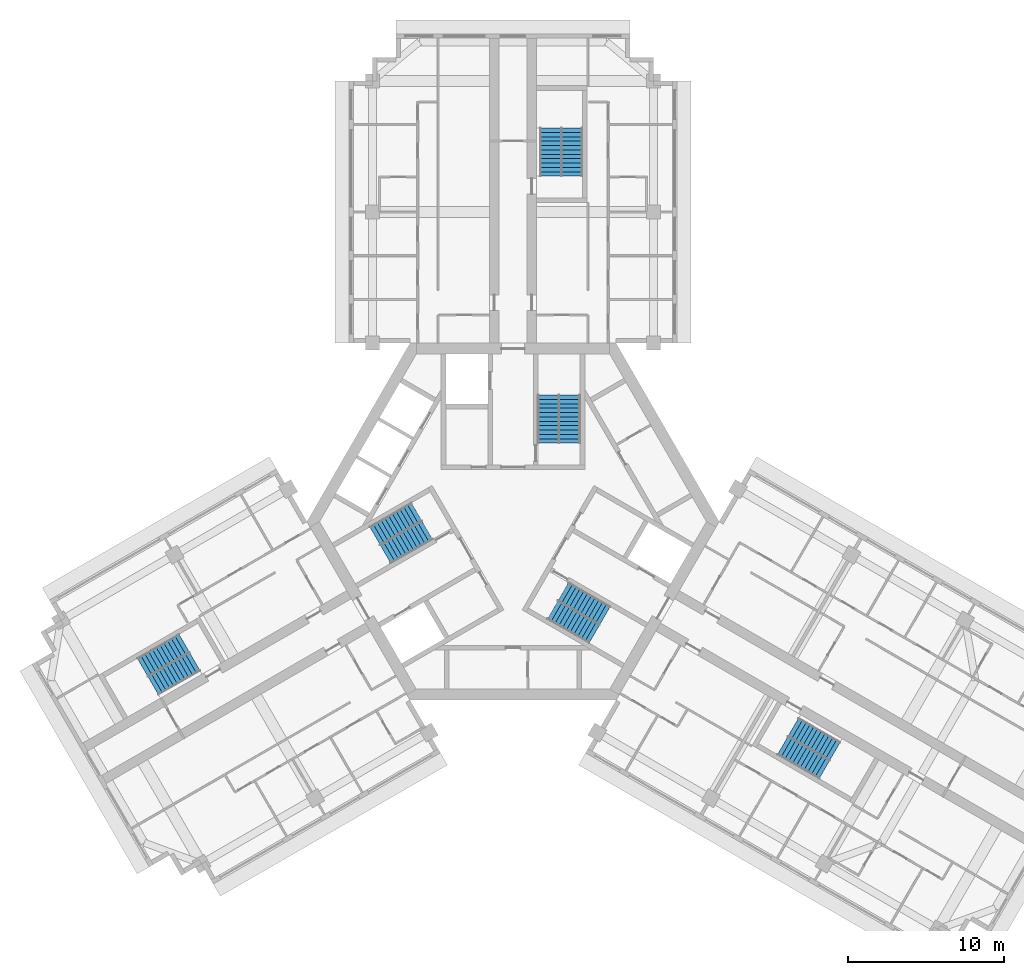
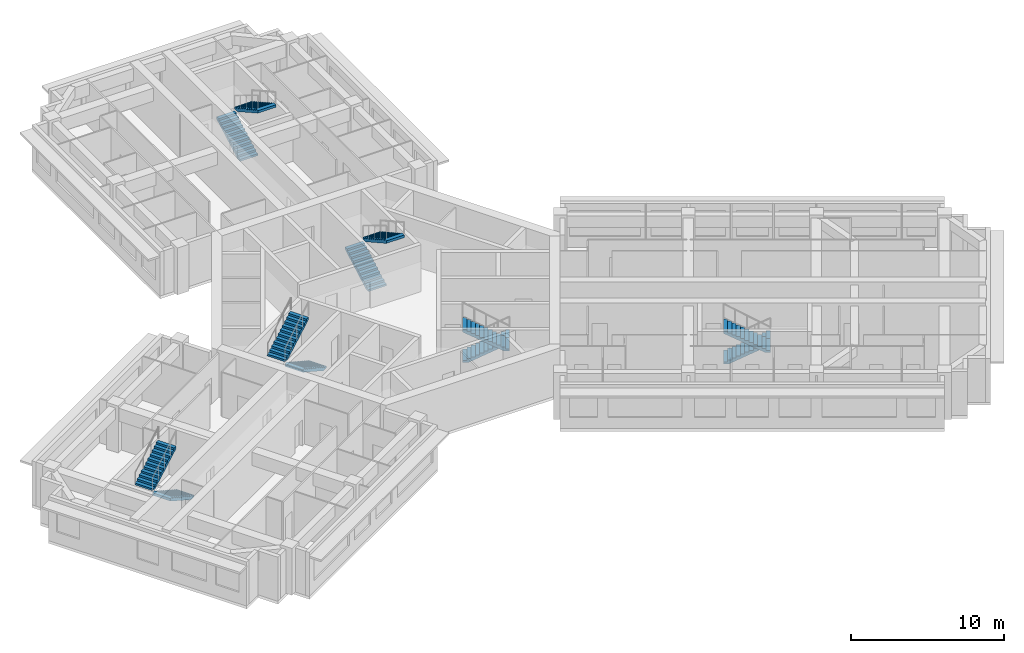
# One storey, part 10 of 11: 12 stair flights, 6 elements without a shape of their own.
"""IFC4 building model written with IfcOpenShell, lengths in metres."""

from ifc_helpers import new_model, si_unit, direction, frame, origin, place, context, subcontext, project, spatial, polyline, outline, extrude, material, type_object, element, aggregate, save


model = new_model("IFC4")

# Units and contexts
model_context = context("Model", 3, precision=1e-05, world=origin(), true_north=direction((0.0, 1.0)))
body_context = subcontext(model_context, "Body", "Model", "MODEL_VIEW")
ifc_project = project(units=[si_unit("LENGTHUNIT", "METRE"), si_unit("AREAUNIT", "SQUARE_METRE"), si_unit("VOLUMEUNIT", "CUBIC_METRE"), si_unit("PLANEANGLEUNIT", "RADIAN"), si_unit("MASSUNIT", "GRAM", prefix="KILO")], contexts=[model_context])

# Site, building, storey
site_placement = place(None, origin())
site = spatial("IfcSite", under=ifc_project, at=site_placement, CompositionType="ELEMENT")
building_placement = place(site_placement, origin())
building = spatial("IfcBuilding", under=site, at=building_placement, Name="Impinga Residences", CompositionType="ELEMENT")
storey_placement = place(building_placement, frame((0.0, 0.0, 244.75)))
storey = spatial("IfcBuildingStorey", under=building, at=storey_placement, Name="L61", CompositionType="ELEMENT", Elevation=244.75)

# Stair, stair flights
ifc_material = material(Name="Concrete C40/50", Category="concrete")
stair_type_1 = type_object("IfcStairType", Name="STR core stair 3750 storey, 24 risers", PredefinedType="HALF_TURN_STAIR", material=ifc_material)
stair_1_placement = place(storey_placement, origin())
stair_1 = element("IfcStair", 1, at=stair_1_placement, inside=storey, type_object=stair_type_1, Name="Stair ST1 L61", PredefinedType="HALF_TURN_STAIR")
stair_flight_type = type_object("IfcStairFlightType", Name="SF 12 risers of 156", PredefinedType="STRAIGHT", material=ifc_material)
stair_flight_1_placement = place(storey_placement, frame((2.27490234375, 5.030029296875, 0.0), z_axis=(0.0, 0.0, 1.0), x_axis=(0.0, 1.0, 0.0)))
stair_flight_1 = element("IfcStairFlight", 2, at=stair_flight_1_placement, type_object=stair_flight_type, Name="ST1 flight 1", NumberOfRisers=12, NumberOfTreads=11, PredefinedType="STRAIGHT", RiserHeight=0.15625, TreadLength=0.28, context=body_context, shape_type="SweptSolid", body=[
    extrude(outline(polyline([(0.0, 0.0), (0.0, 0.15625), (0.280029296875, 0.15625), (0.280029296875, 0.3125), (0.56005859375, 0.3125), (0.56005859375, 0.46875), (0.840087890625, 0.46875), (0.840087890625, 0.625), (1.1201171875, 0.625), (1.1201171875, 0.78125), (1.39990234375, 0.78125), (1.39990234375, 0.9375), (1.679931640625, 0.9375), (1.679931640625, 1.09375), (1.9599609375, 1.09375), (1.9599609375, 1.25), (2.239990234375, 1.25), (2.239990234375, 1.40625), (2.52001953125, 1.40625), (2.52001953125, 1.5625), (2.800048828125, 1.5625), (2.800048828125, 1.71875), (3.080078125, 1.71875), (3.080078125, 1.875), (3.080078125, 1.5126953125), (0.369140625, 0.0), (0.0, 0.0)])), frame((0.0, 0.675048828125, 0.0), z_axis=(0.0, -1.0, 0.0), x_axis=(1.0, 0.0, 0.0)), (0.0, 0.0, 1.0), 1.35009765625),
])
stair_flight_2_placement = place(storey_placement, frame((3.625, 8.110107421875, 1.875), z_axis=(0.0, 0.0, 1.0), x_axis=(0.0, -1.0, 0.0)))
stair_flight_2 = element("IfcStairFlight", 3, at=stair_flight_2_placement, type_object=stair_flight_type, Name="ST1 flight 2", NumberOfRisers=12, NumberOfTreads=11, PredefinedType="STRAIGHT", RiserHeight=0.15625, TreadLength=0.28, context=body_context, shape_type="SweptSolid", body=[
    extrude(outline(polyline([(0.0, 0.0), (0.0, 0.15625), (0.280029296875, 0.15625), (0.280029296875, 0.3125), (0.56005859375, 0.3125), (0.56005859375, 0.46875), (0.840087890625, 0.46875), (0.840087890625, 0.625), (1.1201171875, 0.625), (1.1201171875, 0.78125), (1.39990234375, 0.78125), (1.39990234375, 0.9375), (1.679931640625, 0.9375), (1.679931640625, 1.09375), (1.9599609375, 1.09375), (1.9599609375, 1.25), (2.239990234375, 1.25), (2.239990234375, 1.40625), (2.52001953125, 1.40625), (2.52001953125, 1.5625), (2.800048828125, 1.5625), (2.800048828125, 1.71875), (3.080078125, 1.71875), (3.080078125, 1.875), (3.080078125, 1.5126953125), (0.369140625, 0.0), (0.0, 0.0)])), frame((0.0, 0.675048828125, 0.0), z_axis=(0.0, -1.0, 0.0), x_axis=(1.0, 0.0, 0.0)), (0.0, 0.0, 1.0), 1.35009765625),
])
aggregate(stair_1, [stair_flight_1, stair_flight_2])

stair_2_placement = place(storey_placement, origin())
stair_2 = element("IfcStair", 4, at=stair_2_placement, inside=storey, type_object=stair_type_1, Name="Stair ST2 L61", PredefinedType="HALF_TURN_STAIR")
stair_flight_3_placement = place(storey_placement, frame((-5.49365234375, -0.544677734375, 0.0), z_axis=(0.0, 0.0, 1.0), x_axis=(-0.866025403784, -0.5, 0.0)))
stair_flight_3 = element("IfcStairFlight", 5, at=stair_flight_3_placement, type_object=stair_flight_type, Name="ST2 flight 1", NumberOfRisers=12, NumberOfTreads=11, PredefinedType="STRAIGHT", RiserHeight=0.15625, TreadLength=0.28, context=body_context, shape_type="SweptSolid", body=[
    extrude(outline(polyline([(0.0, 0.0), (0.0, 0.15625), (0.280029296875, 0.15625), (0.280029296875, 0.3125), (0.56005859375, 0.3125), (0.56005859375, 0.46875), (0.840087890625, 0.46875), (0.840087890625, 0.625), (1.1201171875, 0.625), (1.1201171875, 0.78125), (1.39990234375, 0.78125), (1.39990234375, 0.9375), (1.679931640625, 0.9375), (1.679931640625, 1.09375), (1.9599609375, 1.09375), (1.9599609375, 1.25), (2.239990234375, 1.25), (2.239990234375, 1.40625), (2.52001953125, 1.40625), (2.52001953125, 1.5625), (2.800048828125, 1.5625), (2.800048828125, 1.71875), (3.080078125, 1.71875), (3.080078125, 1.875), (3.080078125, 1.5126953125), (0.369140625, 0.0), (0.0, 0.0)])), frame((0.0, 0.675048828125, 0.0), z_axis=(0.0, -1.0, 0.0), x_axis=(1.0, 0.0, 0.0)), (0.0, 0.0, 1.0), 1.35009765625),
])
stair_flight_4_placement = place(storey_placement, frame((-8.8359375, -0.915771484375, 1.875), z_axis=(0.0, 0.0, 1.0), x_axis=(0.866025403784, 0.5, 0.0)))
stair_flight_4 = element("IfcStairFlight", 6, at=stair_flight_4_placement, type_object=stair_flight_type, Name="ST2 flight 2", NumberOfRisers=12, NumberOfTreads=11, PredefinedType="STRAIGHT", RiserHeight=0.15625, TreadLength=0.28, context=body_context, shape_type="SweptSolid", body=[
    extrude(outline(polyline([(0.0, 0.0), (0.0, 0.15625), (0.280029296875, 0.15625), (0.280029296875, 0.3125), (0.56005859375, 0.3125), (0.56005859375, 0.46875), (0.840087890625, 0.46875), (0.840087890625, 0.625), (1.1201171875, 0.625), (1.1201171875, 0.78125), (1.39990234375, 0.78125), (1.39990234375, 0.9375), (1.679931640625, 0.9375), (1.679931640625, 1.09375), (1.9599609375, 1.09375), (1.9599609375, 1.25), (2.239990234375, 1.25), (2.239990234375, 1.40625), (2.52001953125, 1.40625), (2.52001953125, 1.5625), (2.800048828125, 1.5625), (2.800048828125, 1.71875), (3.080078125, 1.71875), (3.080078125, 1.875), (3.080078125, 1.5126953125), (0.369140625, 0.0), (0.0, 0.0)])), frame((0.0, 0.675048828125, 0.0), z_axis=(0.0, -1.0, 0.0), x_axis=(1.0, 0.0, 0.0)), (0.0, 0.0, 1.0), 1.35009765625),
])
aggregate(stair_2, [stair_flight_3, stair_flight_4])

stair_3_placement = place(storey_placement, origin())
stair_3 = element("IfcStair", 7, at=stair_3_placement, inside=storey, type_object=stair_type_1, Name="Stair ST3 L61", PredefinedType="HALF_TURN_STAIR")
stair_flight_5_placement = place(storey_placement, frame((3.218505859375, -4.485107421875, 0.0), z_axis=(0.0, 0.0, 1.0), x_axis=(0.866025403784, -0.5, 0.0)))
stair_flight_5 = element("IfcStairFlight", 8, at=stair_flight_5_placement, type_object=stair_flight_type, Name="ST3 flight 1", NumberOfRisers=12, NumberOfTreads=11, PredefinedType="STRAIGHT", RiserHeight=0.15625, TreadLength=0.28, context=body_context, shape_type="SweptSolid", body=[
    extrude(outline(polyline([(0.0, 0.0), (0.0, 0.15625), (0.280029296875, 0.15625), (0.280029296875, 0.3125), (0.56005859375, 0.3125), (0.56005859375, 0.46875), (0.840087890625, 0.46875), (0.840087890625, 0.625), (1.1201171875, 0.625), (1.1201171875, 0.78125), (1.39990234375, 0.78125), (1.39990234375, 0.9375), (1.679931640625, 0.9375), (1.679931640625, 1.09375), (1.9599609375, 1.09375), (1.9599609375, 1.25), (2.239990234375, 1.25), (2.239990234375, 1.40625), (2.52001953125, 1.40625), (2.52001953125, 1.5625), (2.800048828125, 1.5625), (2.800048828125, 1.71875), (3.080078125, 1.71875), (3.080078125, 1.875), (3.080078125, 1.5126953125), (0.369140625, 0.0), (0.0, 0.0)])), frame((0.0, 0.675048828125, 0.0), z_axis=(0.0, -1.0, 0.0), x_axis=(1.0, 0.0, 0.0)), (0.0, 0.0, 1.0), 1.35009765625),
])
stair_flight_6_placement = place(storey_placement, frame((5.2109375, -7.1943359375, 1.875), z_axis=(0.0, 0.0, 1.0), x_axis=(-0.866025403784, 0.5, 0.0)))
stair_flight_6 = element("IfcStairFlight", 9, at=stair_flight_6_placement, type_object=stair_flight_type, Name="ST3 flight 2", NumberOfRisers=12, NumberOfTreads=11, PredefinedType="STRAIGHT", RiserHeight=0.15625, TreadLength=0.28, context=body_context, shape_type="SweptSolid", body=[
    extrude(outline(polyline([(0.0, 0.0), (0.0, 0.15625), (0.280029296875, 0.15625), (0.280029296875, 0.3125), (0.56005859375, 0.3125), (0.56005859375, 0.46875), (0.840087890625, 0.46875), (0.840087890625, 0.625), (1.1201171875, 0.625), (1.1201171875, 0.78125), (1.39990234375, 0.78125), (1.39990234375, 0.9375), (1.679931640625, 0.9375), (1.679931640625, 1.09375), (1.9599609375, 1.09375), (1.9599609375, 1.25), (2.239990234375, 1.25), (2.239990234375, 1.40625), (2.52001953125, 1.40625), (2.52001953125, 1.5625), (2.800048828125, 1.5625), (2.800048828125, 1.71875), (3.080078125, 1.71875), (3.080078125, 1.875), (3.080078125, 1.5126953125), (0.369140625, 0.0), (0.0, 0.0)])), frame((0.0, 0.675048828125, 0.0), z_axis=(0.0, -1.0, 0.0), x_axis=(1.0, 0.0, 0.0)), (0.0, 0.0, 1.0), 1.35009765625),
])
aggregate(stair_3, [stair_flight_5, stair_flight_6])

stair_type_2 = type_object("IfcStairType", Name="STR wing stair 3750 storey, 24 risers", PredefinedType="HALF_TURN_STAIR", material=ifc_material)
stair_4_placement = place(storey_placement, origin())
stair_4 = element("IfcStair", 10, at=stair_4_placement, inside=storey, type_object=stair_type_2, Name="Stair WS1 L61", PredefinedType="HALF_TURN_STAIR")
stair_flight_7_placement = place(storey_placement, frame((2.425048828125, 22.131591796875, 0.0), z_axis=(0.0, 0.0, 1.0), x_axis=(0.0, 1.0, 0.0)))
stair_flight_7 = element("IfcStairFlight", 11, at=stair_flight_7_placement, type_object=stair_flight_type, Name="WS1 flight 1", NumberOfRisers=12, NumberOfTreads=11, PredefinedType="STRAIGHT", RiserHeight=0.15625, TreadLength=0.28, context=body_context, shape_type="SweptSolid", body=[
    extrude(outline(polyline([(0.0, 0.0), (0.0, 0.15625), (0.280029296875, 0.15625), (0.280029296875, 0.3125), (0.56005859375, 0.3125), (0.56005859375, 0.46875), (0.840087890625, 0.46875), (0.840087890625, 0.625), (1.1201171875, 0.625), (1.1201171875, 0.78125), (1.39990234375, 0.78125), (1.39990234375, 0.9375), (1.679931640625, 0.9375), (1.679931640625, 1.09375), (1.9599609375, 1.09375), (1.9599609375, 1.25), (2.239990234375, 1.25), (2.239990234375, 1.40625), (2.52001953125, 1.40625), (2.52001953125, 1.5625), (2.800048828125, 1.5625), (2.800048828125, 1.71875), (3.080078125, 1.71875), (3.080078125, 1.875), (3.080078125, 1.5126953125), (0.369140625, 0.0), (0.0, 0.0)])), frame((0.0, 0.675048828125, 0.0), z_axis=(0.0, -1.0, 0.0), x_axis=(1.0, 0.0, 0.0)), (0.0, 0.0, 1.0), 1.35009765625),
])
stair_flight_8_placement = place(storey_placement, frame((3.77490234375, 25.21142578125, 1.875), z_axis=(0.0, 0.0, 1.0), x_axis=(0.0, -1.0, 0.0)))
stair_flight_8 = element("IfcStairFlight", 12, at=stair_flight_8_placement, type_object=stair_flight_type, Name="WS1 flight 2", NumberOfRisers=12, NumberOfTreads=11, PredefinedType="STRAIGHT", RiserHeight=0.15625, TreadLength=0.28, context=body_context, shape_type="SweptSolid", body=[
    extrude(outline(polyline([(0.0, 0.0), (0.0, 0.15625), (0.280029296875, 0.15625), (0.280029296875, 0.3125), (0.56005859375, 0.3125), (0.56005859375, 0.46875), (0.840087890625, 0.46875), (0.840087890625, 0.625), (1.1201171875, 0.625), (1.1201171875, 0.78125), (1.39990234375, 0.78125), (1.39990234375, 0.9375), (1.679931640625, 0.9375), (1.679931640625, 1.09375), (1.9599609375, 1.09375), (1.9599609375, 1.25), (2.239990234375, 1.25), (2.239990234375, 1.40625), (2.52001953125, 1.40625), (2.52001953125, 1.5625), (2.800048828125, 1.5625), (2.800048828125, 1.71875), (3.080078125, 1.71875), (3.080078125, 1.875), (3.080078125, 1.5126953125), (0.369140625, 0.0), (0.0, 0.0)])), frame((0.0, 0.675048828125, 0.0), z_axis=(0.0, -1.0, 0.0), x_axis=(1.0, 0.0, 0.0)), (0.0, 0.0, 1.0), 1.35009765625),
])
aggregate(stair_4, [stair_flight_7, stair_flight_8])

stair_5_placement = place(storey_placement, origin())
stair_5 = element("IfcStair", 13, at=stair_5_placement, inside=storey, type_object=stair_type_2, Name="Stair WS2 L61", PredefinedType="HALF_TURN_STAIR")
stair_flight_9_placement = place(storey_placement, frame((-20.37890625, -8.965576171875, 0.0), z_axis=(0.0, 0.0, 1.0), x_axis=(-0.866025403784, -0.5, 0.0)))
stair_flight_9 = element("IfcStairFlight", 14, at=stair_flight_9_placement, type_object=stair_flight_type, Name="WS2 flight 1", NumberOfRisers=12, NumberOfTreads=11, PredefinedType="STRAIGHT", RiserHeight=0.15625, TreadLength=0.28, context=body_context, shape_type="SweptSolid", body=[
    extrude(outline(polyline([(0.0, 0.0), (0.0, 0.15625), (0.280029296875, 0.15625), (0.280029296875, 0.3125), (0.56005859375, 0.3125), (0.56005859375, 0.46875), (0.840087890625, 0.46875), (0.840087890625, 0.625), (1.1201171875, 0.625), (1.1201171875, 0.78125), (1.39990234375, 0.78125), (1.39990234375, 0.9375), (1.679931640625, 0.9375), (1.679931640625, 1.09375), (1.9599609375, 1.09375), (1.9599609375, 1.25), (2.239990234375, 1.25), (2.239990234375, 1.40625), (2.52001953125, 1.40625), (2.52001953125, 1.5625), (2.800048828125, 1.5625), (2.800048828125, 1.71875), (3.080078125, 1.71875), (3.080078125, 1.875), (3.080078125, 1.5126953125), (0.369140625, 0.0), (0.0, 0.0)])), frame((0.0, 0.675048828125, 0.0), z_axis=(0.0, -1.0, 0.0), x_axis=(1.0, 0.0, 0.0)), (0.0, 0.0, 1.0), 1.35009765625),
])
stair_flight_10_placement = place(storey_placement, frame((-23.721435546875, -9.33642578125, 1.875), z_axis=(0.0, 0.0, 1.0), x_axis=(0.866025403784, 0.5, 0.0)))
stair_flight_10 = element("IfcStairFlight", 15, at=stair_flight_10_placement, type_object=stair_flight_type, Name="WS2 flight 2", NumberOfRisers=12, NumberOfTreads=11, PredefinedType="STRAIGHT", RiserHeight=0.15625, TreadLength=0.28, context=body_context, shape_type="SweptSolid", body=[
    extrude(outline(polyline([(0.0, 0.0), (0.0, 0.15625), (0.280029296875, 0.15625), (0.280029296875, 0.3125), (0.56005859375, 0.3125), (0.56005859375, 0.46875), (0.840087890625, 0.46875), (0.840087890625, 0.625), (1.1201171875, 0.625), (1.1201171875, 0.78125), (1.39990234375, 0.78125), (1.39990234375, 0.9375), (1.679931640625, 0.9375), (1.679931640625, 1.09375), (1.9599609375, 1.09375), (1.9599609375, 1.25), (2.239990234375, 1.25), (2.239990234375, 1.40625), (2.52001953125, 1.40625), (2.52001953125, 1.5625), (2.800048828125, 1.5625), (2.800048828125, 1.71875), (3.080078125, 1.71875), (3.080078125, 1.875), (3.080078125, 1.5126953125), (0.369140625, 0.0), (0.0, 0.0)])), frame((0.0, 0.675048828125, 0.0), z_axis=(0.0, -1.0, 0.0), x_axis=(1.0, 0.0, 0.0)), (0.0, 0.0, 1.0), 1.35009765625),
])
aggregate(stair_5, [stair_flight_9, stair_flight_10])

stair_6_placement = place(storey_placement, origin())
stair_6 = element("IfcStair", 16, at=stair_6_placement, inside=storey, type_object=stair_type_2, Name="Stair WS3 L61", PredefinedType="HALF_TURN_STAIR")
stair_flight_11_placement = place(storey_placement, frame((17.953857421875, -13.165771484375, 0.0), z_axis=(0.0, 0.0, 1.0), x_axis=(0.866025403784, -0.5, 0.0)))
stair_flight_11 = element("IfcStairFlight", 17, at=stair_flight_11_placement, type_object=stair_flight_type, Name="WS3 flight 1", NumberOfRisers=12, NumberOfTreads=11, PredefinedType="STRAIGHT", RiserHeight=0.15625, TreadLength=0.28, context=body_context, shape_type="SweptSolid", body=[
    extrude(outline(polyline([(0.0, 0.0), (0.0, 0.15625), (0.280029296875, 0.15625), (0.280029296875, 0.3125), (0.56005859375, 0.3125), (0.56005859375, 0.46875), (0.840087890625, 0.46875), (0.840087890625, 0.625), (1.1201171875, 0.625), (1.1201171875, 0.78125), (1.39990234375, 0.78125), (1.39990234375, 0.9375), (1.679931640625, 0.9375), (1.679931640625, 1.09375), (1.9599609375, 1.09375), (1.9599609375, 1.25), (2.239990234375, 1.25), (2.239990234375, 1.40625), (2.52001953125, 1.40625), (2.52001953125, 1.5625), (2.800048828125, 1.5625), (2.800048828125, 1.71875), (3.080078125, 1.71875), (3.080078125, 1.875), (3.080078125, 1.5126953125), (0.369140625, 0.0), (0.0, 0.0)])), frame((0.0, 0.675048828125, 0.0), z_axis=(0.0, -1.0, 0.0), x_axis=(1.0, 0.0, 0.0)), (0.0, 0.0, 1.0), 1.35009765625),
])
stair_flight_12_placement = place(storey_placement, frame((19.9462890625, -15.875, 1.875), z_axis=(0.0, 0.0, 1.0), x_axis=(-0.866025403784, 0.5, 0.0)))
stair_flight_12 = element("IfcStairFlight", 18, at=stair_flight_12_placement, type_object=stair_flight_type, Name="WS3 flight 2", NumberOfRisers=12, NumberOfTreads=11, PredefinedType="STRAIGHT", RiserHeight=0.15625, TreadLength=0.28, context=body_context, shape_type="SweptSolid", body=[
    extrude(outline(polyline([(0.0, 0.0), (0.0, 0.15625), (0.280029296875, 0.15625), (0.280029296875, 0.3125), (0.56005859375, 0.3125), (0.56005859375, 0.46875), (0.840087890625, 0.46875), (0.840087890625, 0.625), (1.1201171875, 0.625), (1.1201171875, 0.78125), (1.39990234375, 0.78125), (1.39990234375, 0.9375), (1.679931640625, 0.9375), (1.679931640625, 1.09375), (1.9599609375, 1.09375), (1.9599609375, 1.25), (2.239990234375, 1.25), (2.239990234375, 1.40625), (2.52001953125, 1.40625), (2.52001953125, 1.5625), (2.800048828125, 1.5625), (2.800048828125, 1.71875), (3.080078125, 1.71875), (3.080078125, 1.875), (3.080078125, 1.5126953125), (0.369140625, 0.0), (0.0, 0.0)])), frame((0.0, 0.675048828125, 0.0), z_axis=(0.0, -1.0, 0.0), x_axis=(1.0, 0.0, 0.0)), (0.0, 0.0, 1.0), 1.35009765625),
])
aggregate(stair_6, [stair_flight_11, stair_flight_12])

save(model, "model.ifc")
